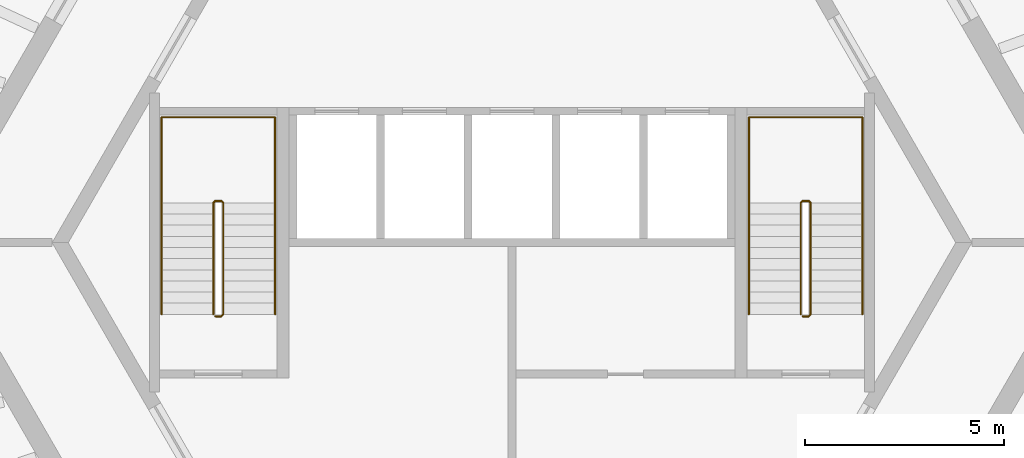
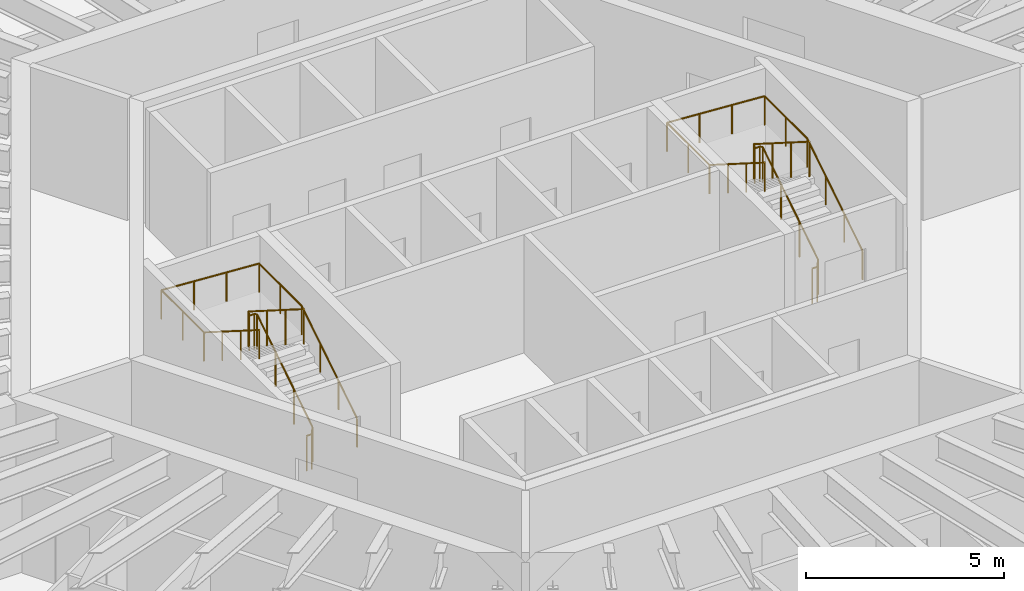
# One storey, part 10 of 10: 4 railings.
"""IFC4 building model written with IfcOpenShell, lengths in metres."""

from ifc_helpers import new_model, si_unit, direction, frame, origin, origin_2d, place, context, subcontext, project, spatial, circle, extrude, material, type_object, element, save


model = new_model("IFC4")

# Units and contexts
model_context = context("Model", 3, precision=1e-05, world=origin(), true_north=direction((0.0, 1.0)))
body_context = subcontext(model_context, "Body", "Model", "MODEL_VIEW")
ifc_project = project(units=[si_unit("LENGTHUNIT", "METRE"), si_unit("AREAUNIT", "SQUARE_METRE"), si_unit("VOLUMEUNIT", "CUBIC_METRE"), si_unit("PLANEANGLEUNIT", "RADIAN"), si_unit("MASSUNIT", "GRAM", prefix="KILO")], contexts=[model_context])

# Site, building, storey
site_placement = place(None, origin())
site = spatial("IfcSite", under=ifc_project, at=site_placement, CompositionType="ELEMENT")
building_placement = place(site_placement, origin())
building = spatial("IfcBuilding", under=site, at=building_placement, Name="Tarnside Tower", CompositionType="ELEMENT")
storey_placement = place(building_placement, frame((0.0, 0.0, 156.60009765625)))
storey = spatial("IfcBuildingStorey", under=building, at=storey_placement, Name="L36", CompositionType="ELEMENT", Elevation=156.60009765625)

# Railings
ifc_material = material(Name="Stainless steel", Category="steel")
railing_type_1 = type_object("IfcRailingType", Name="Stair guard 1100", PredefinedType="GUARDRAIL", material=ifc_material)
railing_1_placement = place(storey_placement, frame((7.300048828125, -1.85009765625, 0.0)))
element("IfcRailing", 1, at=railing_1_placement, inside=storey, type_object=railing_type_1, Name="L36 ST1 stair guard 1", PredefinedType="GUARDRAIL", context=body_context, shape_type="SweptSolid", body=[
    extrude(circle(Radius=0.02392578125, at=origin_2d()), frame((0.0, 0.0, 1.076171875), z_axis=(1.0, 0.0, 0.0), x_axis=(0.0, 1.0, 0.0)), (0.0, 0.0, 1.0), 0.14990234375),
    extrude(circle(Radius=0.02392578125, at=origin_2d()), frame((0.14990234375, 0.0, 1.076171875), z_axis=(0.262233686654, 0.262233686654, 0.928691007369), x_axis=(-0.707106781187, 0.707106781187, 0.0)), (0.0, 0.0, 1.0), 0.19091796875),
    extrude(circle(Radius=0.02392578125, at=origin_2d()), frame((0.199951171875, 0.050048828125, 1.25341796875), z_axis=(0.0, 0.844908973607, 0.534910110503), x_axis=(-1.0, 0.0, 0.0)), (0.0, 0.0, 1.0), 3.31396484375),
    extrude(circle(Radius=0.02392578125, at=origin_2d()), frame((0.199951171875, 2.85009765625, 3.02587890625), z_axis=(-0.707106781187, 0.707106781187, 0.0), x_axis=(-0.707106781187, -0.707106781187, 0.0)), (0.0, 0.0, 1.0), 0.07080078125),
    extrude(circle(Radius=0.02392578125, at=origin_2d()), frame((0.14990234375, 2.900146484375, 3.02587890625), z_axis=(-1.0, 0.0, 0.0), x_axis=(0.0, -1.0, 0.0)), (0.0, 0.0, 1.0), 0.14990234375),
    extrude(circle(Radius=0.02392578125, at=origin_2d()), frame((0.0, 2.900146484375, 3.02587890625), z_axis=(-0.262233686654, -0.262233686654, 0.928691007369), x_axis=(0.707106781187, -0.707106781187, 0.0)), (0.0, 0.0, 1.0), 0.19091796875),
    extrude(circle(Radius=0.02392578125, at=origin_2d()), frame((-0.050048828125, 2.85009765625, 3.203125), z_axis=(0.0, -0.844908973607, 0.534910110503), x_axis=(1.0, 0.0, 0.0)), (0.0, 0.0, 1.0), 3.31396484375),
    extrude(circle(Radius=0.02099609375, at=origin_2d()), origin(), (0.0, 0.0, 1.0), 1.052001953125),
    extrude(circle(Radius=0.02099609375, at=origin_2d()), frame((0.14990234375, 0.0, 0.0)), (0.0, 0.0, 1.0), 1.052001953125),
    extrude(circle(Radius=0.02099609375, at=origin_2d()), frame((0.199951171875, 0.050048828125, 0.17724609375)), (0.0, 0.0, 1.0), 1.052001953125),
    extrude(circle(Radius=0.02099609375, at=origin_2d()), frame((0.199951171875, 0.9833984375, 0.76806640625)), (0.0, 0.0, 1.0), 1.052001953125),
    extrude(circle(Radius=0.02099609375, at=origin_2d()), frame((0.199951171875, 1.916748046875, 1.359130859375)), (0.0, 0.0, 1.0), 1.052001953125),
    extrude(circle(Radius=0.02099609375, at=origin_2d()), frame((0.199951171875, 2.85009765625, 1.949951171875)), (0.0, 0.0, 1.0), 1.052001953125),
    extrude(circle(Radius=0.02099609375, at=origin_2d()), frame((0.14990234375, 2.900146484375, 1.949951171875)), (0.0, 0.0, 1.0), 1.052001953125),
    extrude(circle(Radius=0.02099609375, at=origin_2d()), frame((0.0, 2.900146484375, 1.949951171875)), (0.0, 0.0, 1.0), 1.052001953125),
    extrude(circle(Radius=0.02099609375, at=origin_2d()), frame((-0.050048828125, 2.85009765625, 2.127197265625)), (0.0, 0.0, 1.0), 1.052001953125),
    extrude(circle(Radius=0.02099609375, at=origin_2d()), frame((-0.050048828125, 1.916748046875, 2.718017578125)), (0.0, 0.0, 1.0), 1.052001953125),
    extrude(circle(Radius=0.02099609375, at=origin_2d()), frame((-0.050048828125, 0.9833984375, 3.30908203125)), (0.0, 0.0, 1.0), 1.052001953125),
    extrude(circle(Radius=0.02099609375, at=origin_2d()), frame((-0.050048828125, 0.050048828125, 3.89990234375)), (0.0, 0.0, 1.0), 1.052001953125),
])
railing_2_placement = place(storey_placement, frame((-7.449951171875, -1.85009765625, 0.0)))
element("IfcRailing", 2, at=railing_2_placement, inside=storey, type_object=railing_type_1, Name="L36 ST2 stair guard 1", PredefinedType="GUARDRAIL", context=body_context, shape_type="SweptSolid", body=[
    extrude(circle(Radius=0.02392578125, at=origin_2d()), frame((0.0, 0.0, 1.076171875), z_axis=(1.0, 0.0, 0.0), x_axis=(0.0, 1.0, 0.0)), (0.0, 0.0, 1.0), 0.14990234375),
    extrude(circle(Radius=0.02392578125, at=origin_2d()), frame((0.14990234375, 0.0, 1.076171875), z_axis=(0.262233686654, 0.262233686654, 0.928691007369), x_axis=(-0.707106781187, 0.707106781187, 0.0)), (0.0, 0.0, 1.0), 0.19091796875),
    extrude(circle(Radius=0.02392578125, at=origin_2d()), frame((0.199951171875, 0.050048828125, 1.25341796875), z_axis=(0.0, 0.844908973607, 0.534910110503), x_axis=(-1.0, 0.0, 0.0)), (0.0, 0.0, 1.0), 3.31396484375),
    extrude(circle(Radius=0.02392578125, at=origin_2d()), frame((0.199951171875, 2.85009765625, 3.02587890625), z_axis=(-0.707106781187, 0.707106781187, 0.0), x_axis=(-0.707106781187, -0.707106781187, 0.0)), (0.0, 0.0, 1.0), 0.07080078125),
    extrude(circle(Radius=0.02392578125, at=origin_2d()), frame((0.14990234375, 2.900146484375, 3.02587890625), z_axis=(-1.0, 0.0, 0.0), x_axis=(0.0, -1.0, 0.0)), (0.0, 0.0, 1.0), 0.14990234375),
    extrude(circle(Radius=0.02392578125, at=origin_2d()), frame((0.0, 2.900146484375, 3.02587890625), z_axis=(-0.262233686654, -0.262233686654, 0.928691007369), x_axis=(0.707106781187, -0.707106781187, 0.0)), (0.0, 0.0, 1.0), 0.19091796875),
    extrude(circle(Radius=0.02392578125, at=origin_2d()), frame((-0.050048828125, 2.85009765625, 3.203125), z_axis=(0.0, -0.844908973607, 0.534910110503), x_axis=(1.0, 0.0, 0.0)), (0.0, 0.0, 1.0), 3.31396484375),
    extrude(circle(Radius=0.02099609375, at=origin_2d()), origin(), (0.0, 0.0, 1.0), 1.052001953125),
    extrude(circle(Radius=0.02099609375, at=origin_2d()), frame((0.14990234375, 0.0, 0.0)), (0.0, 0.0, 1.0), 1.052001953125),
    extrude(circle(Radius=0.02099609375, at=origin_2d()), frame((0.199951171875, 0.050048828125, 0.17724609375)), (0.0, 0.0, 1.0), 1.052001953125),
    extrude(circle(Radius=0.02099609375, at=origin_2d()), frame((0.199951171875, 0.9833984375, 0.76806640625)), (0.0, 0.0, 1.0), 1.052001953125),
    extrude(circle(Radius=0.02099609375, at=origin_2d()), frame((0.199951171875, 1.916748046875, 1.359130859375)), (0.0, 0.0, 1.0), 1.052001953125),
    extrude(circle(Radius=0.02099609375, at=origin_2d()), frame((0.199951171875, 2.85009765625, 1.949951171875)), (0.0, 0.0, 1.0), 1.052001953125),
    extrude(circle(Radius=0.02099609375, at=origin_2d()), frame((0.14990234375, 2.900146484375, 1.949951171875)), (0.0, 0.0, 1.0), 1.052001953125),
    extrude(circle(Radius=0.02099609375, at=origin_2d()), frame((0.0, 2.900146484375, 1.949951171875)), (0.0, 0.0, 1.0), 1.052001953125),
    extrude(circle(Radius=0.02099609375, at=origin_2d()), frame((-0.050048828125, 2.85009765625, 2.127197265625)), (0.0, 0.0, 1.0), 1.052001953125),
    extrude(circle(Radius=0.02099609375, at=origin_2d()), frame((-0.050048828125, 1.916748046875, 2.718017578125)), (0.0, 0.0, 1.0), 1.052001953125),
    extrude(circle(Radius=0.02099609375, at=origin_2d()), frame((-0.050048828125, 0.9833984375, 3.30908203125)), (0.0, 0.0, 1.0), 1.052001953125),
    extrude(circle(Radius=0.02099609375, at=origin_2d()), frame((-0.050048828125, 0.050048828125, 3.89990234375)), (0.0, 0.0, 1.0), 1.052001953125),
])
railing_type_2 = type_object("IfcRailingType", Name="Stair handrail 900", PredefinedType="HANDRAIL", material=ifc_material)
railing_3_placement = place(storey_placement, frame((8.800048828125, -1.800048828125, 0.17724609375)))
element("IfcRailing", 3, at=railing_3_placement, inside=storey, type_object=railing_type_2, Name="L36 ST1 stair handrail 1", PredefinedType="HANDRAIL", context=body_context, shape_type="SweptSolid", body=[
    extrude(circle(Radius=0.02392578125, at=origin_2d()), frame((0.0, 0.0, 0.8857421875), z_axis=(0.0, 0.844908973607, 0.534910110503), x_axis=(-1.0, 0.0, 0.0)), (0.0, 0.0, 1.0), 3.31396484375),
    extrude(circle(Radius=0.02392578125, at=origin_2d()), frame((0.0, 2.800048828125, 2.65869140625), z_axis=(0.0, 1.0, 0.0), x_axis=(-1.0, 0.0, 0.0)), (0.0, 0.0, 1.0), 2.14990234375),
    extrude(circle(Radius=0.02392578125, at=origin_2d()), frame((0.0, 4.949951171875, 2.65869140625), z_axis=(-0.998071825391, 0.0, 0.06206956872), x_axis=(0.0, -1.0, 0.0)), (0.0, 0.0, 1.0), 2.855712890625),
    extrude(circle(Radius=0.02392578125, at=origin_2d()), frame((-2.85009765625, 4.949951171875, 2.8359375), z_axis=(0.0, -1.0, 0.0), x_axis=(1.0, 0.0, 0.0)), (0.0, 0.0, 1.0), 2.14990234375),
    extrude(circle(Radius=0.02392578125, at=origin_2d()), frame((-2.85009765625, 2.800048828125, 2.8359375), z_axis=(0.0, -0.844908973607, 0.534910110503), x_axis=(1.0, 0.0, 0.0)), (0.0, 0.0, 1.0), 3.31396484375),
    extrude(circle(Radius=0.02099609375, at=origin_2d()), origin(), (0.0, 0.0, 1.0), 0.86181640625),
    extrude(circle(Radius=0.02099609375, at=origin_2d()), frame((0.0, 0.933349609375, 0.5908203125)), (0.0, 0.0, 1.0), 0.86181640625),
    extrude(circle(Radius=0.02099609375, at=origin_2d()), frame((0.0, 1.86669921875, 1.181884765625)), (0.0, 0.0, 1.0), 0.86181640625),
    extrude(circle(Radius=0.02099609375, at=origin_2d()), frame((0.0, 2.800048828125, 1.772705078125)), (0.0, 0.0, 1.0), 0.86181640625),
    extrude(circle(Radius=0.02099609375, at=origin_2d()), frame((0.0, 3.875, 1.772705078125)), (0.0, 0.0, 1.0), 0.86181640625),
    extrude(circle(Radius=0.02099609375, at=origin_2d()), frame((0.0, 4.949951171875, 1.772705078125)), (0.0, 0.0, 1.0), 0.86181640625),
    extrude(circle(Radius=0.02099609375, at=origin_2d()), frame((-0.949951171875, 4.949951171875, 1.831787109375)), (0.0, 0.0, 1.0), 0.86181640625),
    extrude(circle(Radius=0.02099609375, at=origin_2d()), frame((-1.900146484375, 4.949951171875, 1.890869140625)), (0.0, 0.0, 1.0), 0.86181640625),
    extrude(circle(Radius=0.02099609375, at=origin_2d()), frame((-2.85009765625, 4.949951171875, 1.949951171875)), (0.0, 0.0, 1.0), 0.86181640625),
    extrude(circle(Radius=0.02099609375, at=origin_2d()), frame((-2.85009765625, 3.875, 1.949951171875)), (0.0, 0.0, 1.0), 0.86181640625),
    extrude(circle(Radius=0.02099609375, at=origin_2d()), frame((-2.85009765625, 2.800048828125, 1.949951171875)), (0.0, 0.0, 1.0), 0.86181640625),
    extrude(circle(Radius=0.02099609375, at=origin_2d()), frame((-2.85009765625, 1.86669921875, 2.540771484375)), (0.0, 0.0, 1.0), 0.86181640625),
    extrude(circle(Radius=0.02099609375, at=origin_2d()), frame((-2.85009765625, 0.933349609375, 3.1318359375)), (0.0, 0.0, 1.0), 0.86181640625),
    extrude(circle(Radius=0.02099609375, at=origin_2d()), frame((-2.85009765625, 0.0, 3.72265625)), (0.0, 0.0, 1.0), 0.86181640625),
])
railing_4_placement = place(storey_placement, frame((-5.949951171875, -1.800048828125, 0.17724609375)))
element("IfcRailing", 4, at=railing_4_placement, inside=storey, type_object=railing_type_2, Name="L36 ST2 stair handrail 1", PredefinedType="HANDRAIL", context=body_context, shape_type="SweptSolid", body=[
    extrude(circle(Radius=0.02392578125, at=origin_2d()), frame((0.0, 0.0, 0.8857421875), z_axis=(0.0, 0.844908973607, 0.534910110503), x_axis=(-1.0, 0.0, 0.0)), (0.0, 0.0, 1.0), 3.31396484375),
    extrude(circle(Radius=0.02392578125, at=origin_2d()), frame((0.0, 2.800048828125, 2.65869140625), z_axis=(0.0, 1.0, 0.0), x_axis=(-1.0, 0.0, 0.0)), (0.0, 0.0, 1.0), 2.14990234375),
    extrude(circle(Radius=0.02392578125, at=origin_2d()), frame((0.0, 4.949951171875, 2.65869140625), z_axis=(-0.998071825391, 0.0, 0.06206956872), x_axis=(0.0, -1.0, 0.0)), (0.0, 0.0, 1.0), 2.855712890625),
    extrude(circle(Radius=0.02392578125, at=origin_2d()), frame((-2.85009765625, 4.949951171875, 2.8359375), z_axis=(0.0, -1.0, 0.0), x_axis=(1.0, 0.0, 0.0)), (0.0, 0.0, 1.0), 2.14990234375),
    extrude(circle(Radius=0.02392578125, at=origin_2d()), frame((-2.85009765625, 2.800048828125, 2.8359375), z_axis=(0.0, -0.844908973607, 0.534910110503), x_axis=(1.0, 0.0, 0.0)), (0.0, 0.0, 1.0), 3.31396484375),
    extrude(circle(Radius=0.02099609375, at=origin_2d()), origin(), (0.0, 0.0, 1.0), 0.86181640625),
    extrude(circle(Radius=0.02099609375, at=origin_2d()), frame((0.0, 0.933349609375, 0.5908203125)), (0.0, 0.0, 1.0), 0.86181640625),
    extrude(circle(Radius=0.02099609375, at=origin_2d()), frame((0.0, 1.86669921875, 1.181884765625)), (0.0, 0.0, 1.0), 0.86181640625),
    extrude(circle(Radius=0.02099609375, at=origin_2d()), frame((0.0, 2.800048828125, 1.772705078125)), (0.0, 0.0, 1.0), 0.86181640625),
    extrude(circle(Radius=0.02099609375, at=origin_2d()), frame((0.0, 3.875, 1.772705078125)), (0.0, 0.0, 1.0), 0.86181640625),
    extrude(circle(Radius=0.02099609375, at=origin_2d()), frame((0.0, 4.949951171875, 1.772705078125)), (0.0, 0.0, 1.0), 0.86181640625),
    extrude(circle(Radius=0.02099609375, at=origin_2d()), frame((-0.949951171875, 4.949951171875, 1.831787109375)), (0.0, 0.0, 1.0), 0.86181640625),
    extrude(circle(Radius=0.02099609375, at=origin_2d()), frame((-1.900146484375, 4.949951171875, 1.890869140625)), (0.0, 0.0, 1.0), 0.86181640625),
    extrude(circle(Radius=0.02099609375, at=origin_2d()), frame((-2.85009765625, 4.949951171875, 1.949951171875)), (0.0, 0.0, 1.0), 0.86181640625),
    extrude(circle(Radius=0.02099609375, at=origin_2d()), frame((-2.85009765625, 3.875, 1.949951171875)), (0.0, 0.0, 1.0), 0.86181640625),
    extrude(circle(Radius=0.02099609375, at=origin_2d()), frame((-2.85009765625, 2.800048828125, 1.949951171875)), (0.0, 0.0, 1.0), 0.86181640625),
    extrude(circle(Radius=0.02099609375, at=origin_2d()), frame((-2.85009765625, 1.86669921875, 2.540771484375)), (0.0, 0.0, 1.0), 0.86181640625),
    extrude(circle(Radius=0.02099609375, at=origin_2d()), frame((-2.85009765625, 0.933349609375, 3.1318359375)), (0.0, 0.0, 1.0), 0.86181640625),
    extrude(circle(Radius=0.02099609375, at=origin_2d()), frame((-2.85009765625, 0.0, 3.72265625)), (0.0, 0.0, 1.0), 0.86181640625),
])

save(model, "model.ifc")
